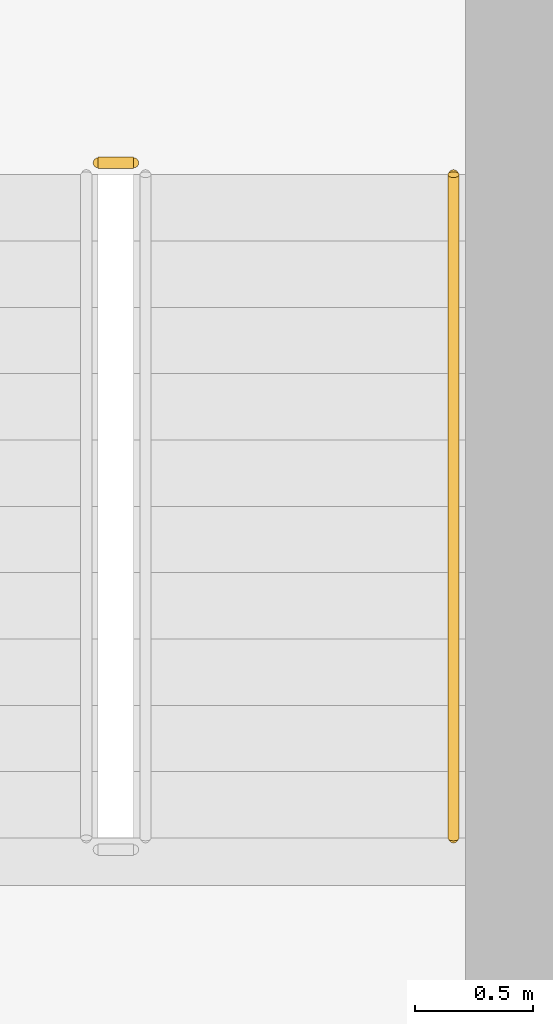
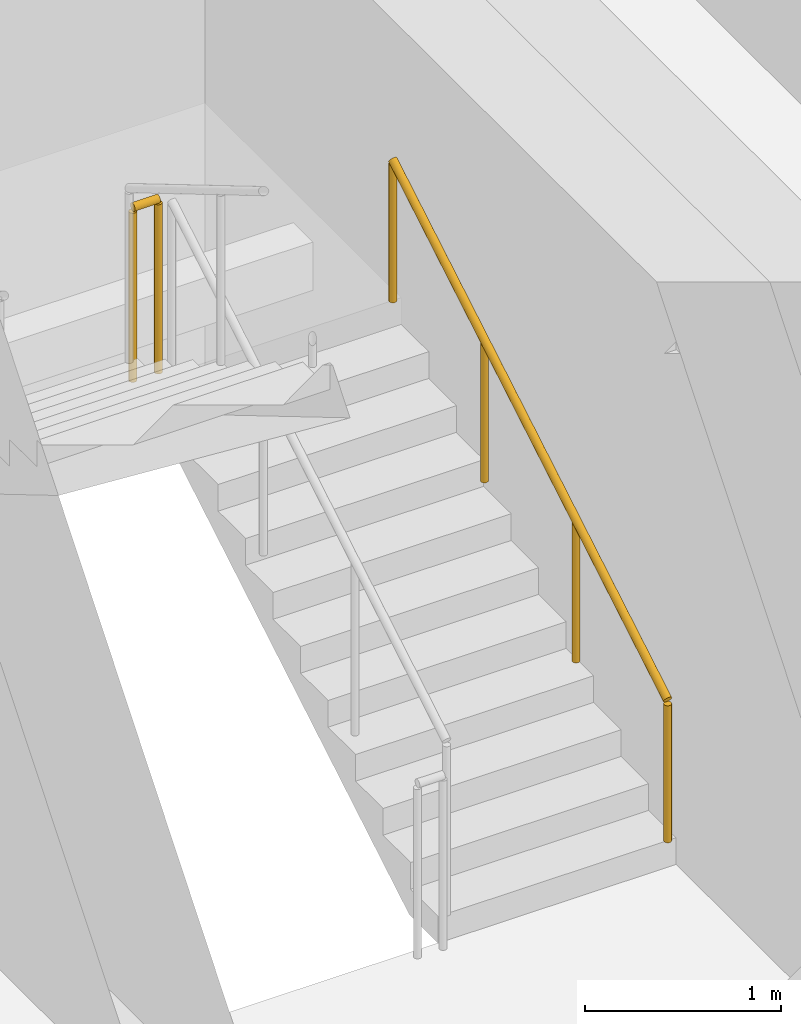
# One storey, part 13 of 15: 2 railings.
"""IFC4 building model written with IfcOpenShell, lengths in metres."""

from ifc_helpers import new_model, si_unit, direction, frame, origin, origin_2d, place, context, subcontext, project, spatial, circle, extrude, material, type_object, element, save


model = new_model("IFC4")

# Units and contexts
model_context = context("Model", 3, precision=1e-05, world=origin(), true_north=direction((0.0, 1.0)))
body_context = subcontext(model_context, "Body", "Model", "MODEL_VIEW")
ifc_project = project(units=[si_unit("LENGTHUNIT", "METRE"), si_unit("AREAUNIT", "SQUARE_METRE"), si_unit("VOLUMEUNIT", "CUBIC_METRE"), si_unit("PLANEANGLEUNIT", "RADIAN"), si_unit("MASSUNIT", "GRAM", prefix="KILO")], contexts=[model_context])

# Site, building, storey
site_placement = place(None, origin())
site = spatial("IfcSite", under=ifc_project, at=site_placement, CompositionType="ELEMENT")
building_placement = place(site_placement, origin())
building = spatial("IfcBuilding", under=site, at=building_placement, Name="Isthmus Gate Tower", CompositionType="ELEMENT")
storey_placement = place(building_placement, frame((0.0, 0.0, 286.5)))
storey = spatial("IfcBuildingStorey", under=building, at=storey_placement, Name="L73", CompositionType="ELEMENT", Elevation=286.5)

# Railings
ifc_material_1 = material(Name="Stainless steel balustrade", Category="steel")
railing_type_1 = type_object("IfcRailingType", Name="STAIR GUARD 1100", PredefinedType="GUARDRAIL", material=ifc_material_1)
railing_1_placement = place(storey_placement, frame((12.60009765625, 5.25, 1.824951171875)))
element("IfcRailing", 1, at=railing_1_placement, inside=storey, type_object=railing_type_1, Name="L73 ST8 stair guard 2", PredefinedType="GUARDRAIL", context=body_context, shape_type="SweptSolid", body=[
    extrude(circle(Radius=0.02392578125, at=origin_2d()), frame((0.0, 0.0, 1.076171875), z_axis=(-1.0, 0.0, 0.0), x_axis=(0.0, -1.0, 0.0)), (0.0, 0.0, 1.0), 0.150146484375),
    extrude(circle(Radius=0.02099609375, at=origin_2d()), origin(), (0.0, 0.0, 1.0), 1.052001953125),
    extrude(circle(Radius=0.02099609375, at=origin_2d()), frame((-0.150146484375, 0.0, 0.0)), (0.0, 0.0, 1.0), 1.052001953125),
])
ifc_material_2 = material(Name="Stainless steel handrail", Category="steel")
railing_type_2 = type_object("IfcRailingType", Name="STAIR HANDRAIL 900", PredefinedType="HANDRAIL", material=ifc_material_2)
railing_2_placement = place(storey_placement, frame((13.949951171875, 2.39990234375, 0.166015625)))
element("IfcRailing", 2, at=railing_2_placement, inside=storey, type_object=railing_type_2, Name="L73 ST8 stair handrail 1", PredefinedType="HANDRAIL", context=body_context, shape_type="SweptSolid", body=[
    extrude(circle(Radius=0.02392578125, at=origin_2d()), frame((0.0, 0.0, 0.8759765625), z_axis=(0.0, 0.860339051648, 0.50972219513), x_axis=(-1.0, 0.0, 0.0)), (0.0, 0.0, 1.0), 3.254638671875),
    extrude(circle(Radius=0.02099609375, at=origin_2d()), origin(), (0.0, 0.0, 1.0), 0.851806640625),
    extrude(circle(Radius=0.02099609375, at=origin_2d()), frame((0.0, 0.933349609375, 0.552978515625)), (0.0, 0.0, 1.0), 0.851806640625),
    extrude(circle(Radius=0.02099609375, at=origin_2d()), frame((0.0, 1.86669921875, 1.10595703125)), (0.0, 0.0, 1.0), 0.851806640625),
    extrude(circle(Radius=0.02099609375, at=origin_2d()), frame((0.0, 2.800048828125, 1.658935546875)), (0.0, 0.0, 1.0), 0.851806640625),
])

save(model, "model.ifc")
